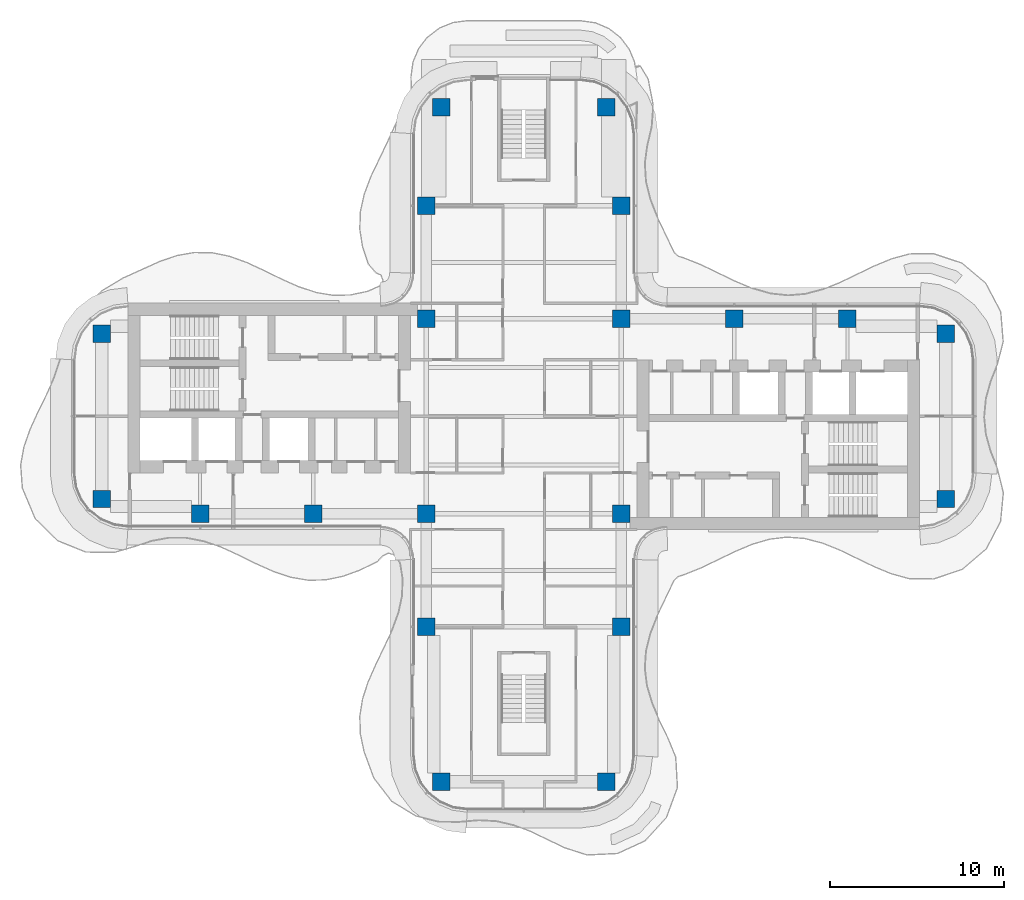
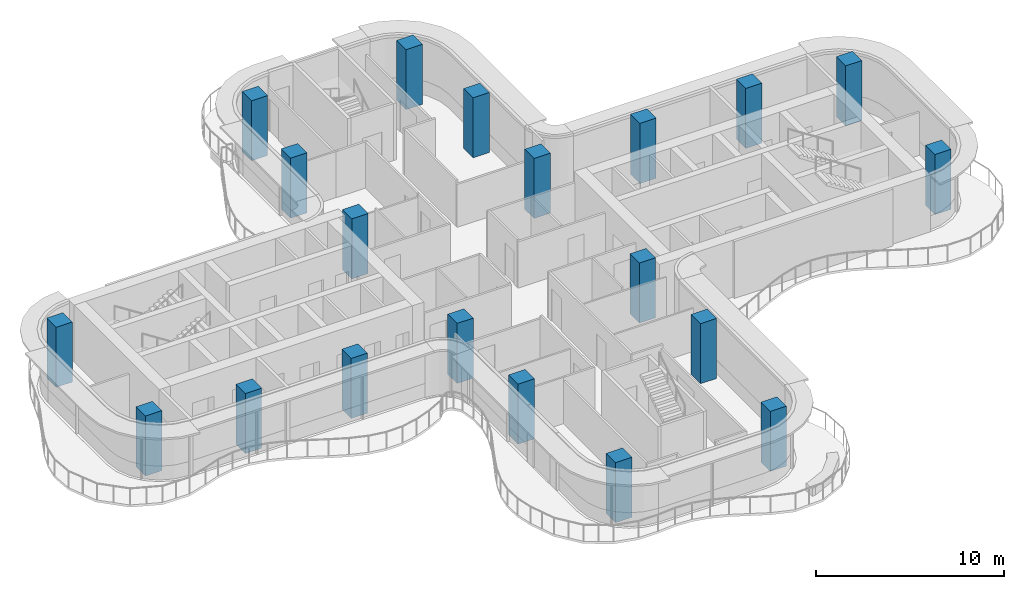
# One storey, part 1 of 16: 20 columns.
"""IFC4 building model written with IfcOpenShell, lengths in metres."""

from ifc_helpers import new_model, si_unit, direction, frame, origin, origin_2d, place, context, subcontext, project, spatial, rectangle, extrude, source, transform, mapped, material, material_profile, profile_set, type_object, element, save


model = new_model("IFC4")

# Units and contexts
model_context = context("Model", 3, precision=1e-05, world=origin(), true_north=direction((0.0, 1.0)))
body_context = subcontext(model_context, "Body", "Model", "MODEL_VIEW")
ifc_project = project(units=[si_unit("LENGTHUNIT", "METRE"), si_unit("AREAUNIT", "SQUARE_METRE"), si_unit("VOLUMEUNIT", "CUBIC_METRE"), si_unit("PLANEANGLEUNIT", "RADIAN"), si_unit("MASSUNIT", "GRAM", prefix="KILO")], contexts=[model_context])

# Site, building, storey
site_placement = place(None, origin())
site = spatial("IfcSite", under=ifc_project, at=site_placement, CompositionType="ELEMENT")
building_placement = place(site_placement, origin())
building = spatial("IfcBuilding", under=site, at=building_placement, Name="Trellis Farm Tower", CompositionType="ELEMENT")
storey_placement = place(building_placement, frame((0.0, 0.0, 302.800048828125)))
storey = spatial("IfcBuildingStorey", under=building, at=storey_placement, Name="L68", CompositionType="ELEMENT", Elevation=302.800048828125)

# Columns
ifc_material = material(Name="Concrete C60/75", Category="concrete")
ifc_material_profile = material_profile(ifc_material, rectangle(XDim=1.0, YDim=1.0, at=origin_2d()), Name="RC column 1000x1000 C60/75")
ifc_profile_set = profile_set([ifc_material_profile], Name="Concrete C60/75")
column_type = type_object("IfcColumnType", Name="RC column 1000x1000 C60/75", PredefinedType="COLUMN", material=ifc_profile_set)
shared_shape = source(origin(), body_context, "Body", "SweptSolid", [
    extrude(rectangle(XDim=1.0, YDim=1.0, at=origin_2d()), origin(), (0.0, 0.0, 1.0), 3.89990234375),
])
for number, where, z_axis, x_axis, name in (
    (1, (12.10009765625, 5.60009765625, 0.0), (0.0, 0.0, 1.0), (1.0, 0.0, 0.0), "Column"),
    (2, (18.60009765625, 5.60009765625, 0.0), (0.0, 0.0, 1.0), (1.0, 0.0, 0.0), "Column"),
    (3, (24.25, 4.75, 0.0), (0.0, 0.0, 1.0), (1.0, 0.0, 0.0), "Column"),
    (4, (24.25, -4.75, 0.0), (0.0, 0.0, 1.0), (1.0, 0.0, 0.0), "Column"),
    (5, (-5.60009765625, 12.10009765625, 0.0), (0.0, 0.0, 1.0), (1.0, 0.0, 0.0), "Column"),
    (6, (-4.75, 17.75, 0.0), (0.0, 0.0, 1.0), (1.0, 0.0, 0.0), "Column"),
    (7, (5.60009765625, 12.10009765625, 0.0), (0.0, 0.0, 1.0), (1.0, 0.0, 0.0), "Column"),
    (8, (4.75, 17.75, 0.0), (0.0, 0.0, 1.0), (1.0, 0.0, 0.0), "Column"),
    (9, (5.60009765625, 5.60009765625, 0.0), (0.0, 0.0, 1.0), (1.0, 0.0, 0.0), "Column"),
    (10, (-5.60009765625, 5.60009765625, 0.0), (0.0, 0.0, 1.0), (1.0, 0.0, 0.0), "Column"),
    (11, (5.60009765625, -5.60009765625, 0.0), (0.0, 0.0, 1.0), (1.0, 0.0, 0.0), "Column"),
    (12, (-5.60009765625, -5.60009765625, 0.0), (0.0, 0.0, 1.0), (1.0, 0.0, 0.0), "Column"),
    (13, (5.60009765625, -12.10009765625, 0.0), (0.0, 0.0, 1.0), (1.0, 0.0, 0.0), "Column"),
    (14, (4.75, -21.0, 0.0), (0.0, 0.0, 1.0), (1.0, 0.0, 0.0), "Column"),
    (15, (-5.60009765625, -12.10009765625, 0.0), (0.0, 0.0, 1.0), (1.0, 0.0, 0.0), "Column"),
    (16, (-4.75, -21.0, 0.0), (0.0, 0.0, 1.0), (1.0, 0.0, 0.0), "Column"),
    (17, (-12.10009765625, -5.60009765625, 0.0), (0.0, 0.0, 1.0), (1.0, 0.0, 0.0), "Column"),
    (18, (-18.60009765625, -5.60009765625, 0.0), (0.0, 0.0, 1.0), (1.0, 0.0, 0.0), "Column"),
    (19, (-24.25, -4.75, 0.0), (0.0, 0.0, 1.0), (1.0, 0.0, 0.0), "Column"),
    (20, (-24.25, 4.75, 0.0), (0.0, 0.0, 1.0), (1.0, 0.0, 0.0), "Column"),
):
    element("IfcColumn", number, at=place(storey_placement, frame(where, z_axis=z_axis, x_axis=x_axis)), inside=storey, type_object=column_type, Name=name, PredefinedType="COLUMN", context=body_context, shape_type="MappedRepresentation", body=[
        mapped(shared_shape, transform((0.0, 0.0, 0.0))),
    ])

save(model, "model.ifc")
